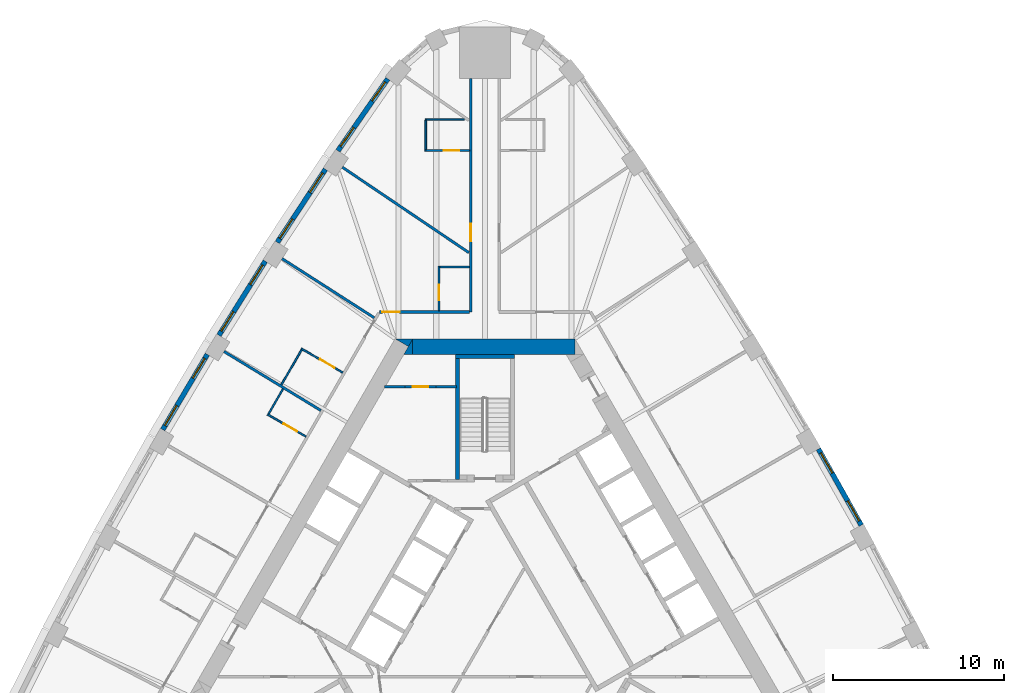
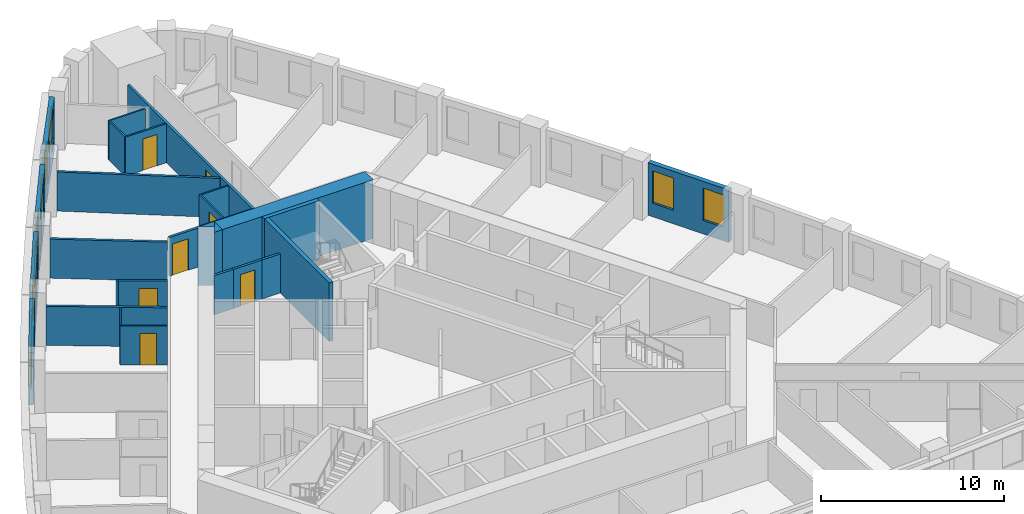
# One storey, part 9 of 12: 27 walls, 10 windows, 7 doors, 17 openings.
"""IFC4 building model written with IfcOpenShell, lengths in metres."""

from ifc_helpers import new_model, si_unit, direction, frame, frame_2d, origin, place, context, subcontext, project, spatial, polyline, rectangle, outline, extrude, material, layer, layer_set, type_object, element, fill, save


model = new_model("IFC4")

# Units and contexts
model_context = context("Model", 3, precision=1e-05, world=origin(), true_north=direction((0.0, 1.0)))
body_context = subcontext(model_context, "Body", "Model", "MODEL_VIEW")
ifc_project = project(units=[si_unit("LENGTHUNIT", "METRE"), si_unit("AREAUNIT", "SQUARE_METRE"), si_unit("VOLUMEUNIT", "CUBIC_METRE"), si_unit("PLANEANGLEUNIT", "RADIAN"), si_unit("MASSUNIT", "GRAM", prefix="KILO")], contexts=[model_context])

# Site, building, storey
site_placement = place(None, origin())
site = spatial("IfcSite", under=ifc_project, at=site_placement, CompositionType="ELEMENT")
building_placement = place(site_placement, origin())
building = spatial("IfcBuilding", under=site, at=building_placement, Name="Mestral Congress Tower", CompositionType="ELEMENT")
storey_placement = place(building_placement, frame((0.0, 0.0, 130.5)))
storey = spatial("IfcBuildingStorey", under=building, at=storey_placement, Name="L31", CompositionType="ELEMENT", Elevation=130.5)

# Walls
ifc_material_1 = material(Name="Fire-rated board partition")
ifc_layer_1 = layer(ifc_material_1, 0.14990234375)
ifc_layer_set_1 = layer_set([ifc_layer_1], Name="Fire-rated board partition")
wall_type_1 = type_object("IfcWallType", Name="Core partition 150", PredefinedType="PARTITIONING", material=ifc_layer_set_1)
wall_1_placement = place(storey_placement, frame((-5.85107421875, 14.10205078125, 0.0), z_axis=(0.0, 0.0, 1.0), x_axis=(1.0, 0.0, 0.0)))
element("IfcWall", 1, at=wall_1_placement, inside=storey, type_object=wall_type_1, Name="L31 core wall", PredefinedType="PARTITIONING", context=body_context, shape_type="SweptSolid", body=[
    extrude(rectangle(XDim=1.18017578125, YDim=0.14990234375, at=frame_2d((0.590087890625, 0.0))), origin(), (0.0, 0.0, 1.0), 2.60009765625),
])
wall_2_placement = place(storey_placement, frame((-2.87060546875, 14.10205078125, 0.0), z_axis=(0.0, 0.0, 1.0), x_axis=(1.0, 0.0, 0.0)))
element("IfcWall", 2, at=wall_2_placement, inside=storey, type_object=wall_type_1, Name="L31 core wall", PredefinedType="PARTITIONING", context=body_context, shape_type="SweptSolid", body=[
    extrude(rectangle(XDim=1.195556640625, YDim=0.14990234375, at=frame_2d((0.59765625, 0.0))), origin(), (0.0, 0.0, 1.0), 2.60009765625),
])

# Wall, opening, door
wall_3_placement = place(storey_placement, frame((-2.870849609375, 14.10205078125, 0.0), z_axis=(0.0, 0.0, 1.0), x_axis=(-1.0, 0.0, 0.0)))
wall_3 = element("IfcWall", 3, at=wall_3_placement, inside=storey, type_object=wall_type_1, Name="L31 door wall", PredefinedType="PARTITIONING", context=body_context, shape_type="SweptSolid", body=[
    extrude(rectangle(XDim=1.800048828125, YDim=0.14990234375, at=frame_2d((0.89990234375, 0.0))), origin(), (0.0, 0.0, 1.0), 2.60009765625),
])
opening_1_placement = place(wall_3_placement, frame((0.449951171875, 0.0, 0.0)))
opening_1 = element("IfcOpeningElement", 4, at=opening_1_placement, cuts=wall_3, Name="Opening SD-WS2", PredefinedType="OPENING", context=body_context, shape_type="SweptSolid", body=[
    extrude(rectangle(XDim=0.89990234375, YDim=2.10009765625, at=frame_2d((0.449951171875, 1.050048828125))), frame((0.0, 0.0849609375, 0.0), z_axis=(0.0, -1.0, 0.0), x_axis=(1.0, 0.0, 0.0)), (0.0, 0.0, 1.0), 0.169921875),
])
ifc_material_2 = material(Name="Fire-rated steel door set", Category="steel")
door_type_1 = type_object("IfcDoorType", Name="Core door SR 900x2100", OperationType="SINGLE_SWING_LEFT", PredefinedType="DOOR", material=ifc_material_2)
door_1_placement = place(opening_1_placement, origin())
door_1 = element("IfcDoor", 5, at=door_1_placement, inside=storey, type_object=door_type_1, Name="Door SD-WS2", OperationType="SINGLE_SWING_LEFT", OverallHeight=2.10009765625, OverallWidth=0.89990234375, PredefinedType="DOOR", context=body_context, shape_type="SweptSolid", body=[
    extrude(rectangle(XDim=0.89990234375, YDim=2.10009765625, at=frame_2d((0.449951171875, 1.050048828125))), frame((0.0, 0.02490234375, 0.0), z_axis=(0.0, -1.0, 0.0), x_axis=(1.0, 0.0, 0.0)), (0.0, 0.0, 1.0), 0.050048828125),
])
fill(opening_1, door_1)

# Walls
ifc_material_3 = material(Name="Concrete C60/75", Category="concrete")
ifc_layer_2 = layer(ifc_material_3, 0.89990234375)
ifc_layer_set_2 = layer_set([ifc_layer_2], Name="Concrete C60/75")
wall_type_2 = type_object("IfcWallType", Name="Core wall RC 900", PredefinedType="SOLIDWALL", material=ifc_layer_set_2)
placement = place(storey_placement, origin())
element("IfcWall", 6, at=placement, inside=storey, type_object=wall_type_2, Name="L31 core wall", PredefinedType="SOLIDWALL", context=body_context, shape_type="SweptSolid", body=[
    extrude(outline(polyline([(-4.214599609375, 16.89990234375), (-4.46875, 16.460205078125), (-5.230712890625, 16.89990234375), (-4.214599609375, 16.89990234375)])), origin(), (0.0, 0.0, 1.0), 3.89990234375),
])
wall_5_placement = place(storey_placement, frame((-4.224365234375, 16.449951171875, 0.0), z_axis=(0.0, 0.0, 1.0), x_axis=(1.0, 0.0, 0.0)))
element("IfcWall", 7, at=wall_5_placement, inside=storey, type_object=wall_type_2, Name="L31 core wall", PredefinedType="SOLIDWALL", context=body_context, shape_type="SweptSolid", body=[
    extrude(rectangle(XDim=9.48779296875, YDim=0.89990234375, at=frame_2d((4.743896484375, 0.0))), origin(), (0.0, 0.0, 1.0), 3.89990234375),
])
element("IfcWall", 8, at=placement, inside=storey, type_object=wall_type_2, Name="L31 core wall", PredefinedType="SOLIDWALL", context=body_context, shape_type="SweptSolid", body=[
    extrude(outline(polyline([(-4.734375, 16.0), (-4.226318359375, 16.8798828125), (-4.226318359375, 16.0), (-4.734375, 16.0)])), origin(), (0.0, 0.0, 1.0), 3.89990234375),
])

# Wall, openings, windows
ifc_material_4 = material(Name="Precast concrete C40/50 with limestone facing", Category="masonry")
ifc_layer_3 = layer(ifc_material_4, 0.2900390625)
ifc_layer_set_3 = layer_set([ifc_layer_3], Name="Precast concrete C40/50 with limestone facing")
wall_type_3 = type_object("IfcWallType", Name="Facade stone wall 290", PredefinedType="SOLIDWALL", material=ifc_layer_set_3)
wall_7_placement = place(storey_placement, frame((21.956298828125, 6.033203125, 0.0), z_axis=(0.0, 0.0, 1.0), x_axis=(-0.48983164787, 0.87181704316, 0.0)))
wall_7 = element("IfcWall", 9, at=wall_7_placement, inside=storey, type_object=wall_type_3, Name="Facade wall F1-03", PredefinedType="SOLIDWALL", context=body_context, shape_type="SweptSolid", body=[
    extrude(rectangle(XDim=5.100341796875, YDim=0.2900390625, at=frame_2d((2.55029296875, 0.0))), origin(), (0.0, 0.0, 1.0), 3.5),
])
opening_2_placement = place(wall_7_placement, frame((0.272705078125, 0.0, 0.89990234375)))
opening_2 = element("IfcOpeningElement", 10, at=opening_2_placement, cuts=wall_7, Name="Opening W2", PredefinedType="OPENING", context=body_context, shape_type="SweptSolid", body=[
    extrude(rectangle(XDim=1.35009765625, YDim=2.14990234375, at=frame_2d((0.675048828125, 1.074951171875))), frame((0.0, 0.155029296875, 0.0), z_axis=(0.0, -1.0, 0.0), x_axis=(1.0, 0.0, 0.0)), (0.0, 0.0, 1.0), 0.31005859375),
])
opening_3_placement = place(wall_7_placement, frame((3.477783203125, 0.0, 0.89990234375)))
opening_3 = element("IfcOpeningElement", 11, at=opening_3_placement, cuts=wall_7, Name="Opening W2", PredefinedType="OPENING", context=body_context, shape_type="SweptSolid", body=[
    extrude(rectangle(XDim=1.35009765625, YDim=2.14990234375, at=frame_2d((0.675048828125, 1.074951171875))), frame((0.0, 0.155029296875, 0.0), z_axis=(0.0, -1.0, 0.0), x_axis=(1.0, 0.0, 0.0)), (0.0, 0.0, 1.0), 0.31005859375),
])
ifc_material_5 = material(Name="Clear low-emissivity double glazing", Category="glass")
window_type = type_object("IfcWindowType", Name="Facade punched window 1350 x 2150 sill 900", PartitioningType="DOUBLE_PANEL_VERTICAL", PredefinedType="WINDOW", material=ifc_material_5)
window_1_placement = place(opening_2_placement, origin())
window_1 = element("IfcWindow", 12, at=window_1_placement, inside=storey, type_object=window_type, Name="Window F1-03a", OverallHeight=2.14990234375, OverallWidth=1.35009765625, PartitioningType="DOUBLE_PANEL_VERTICAL", PredefinedType="WINDOW", context=body_context, shape_type="SweptSolid", body=[
    extrude(rectangle(XDim=1.35009765625, YDim=2.14990234375, at=frame_2d((0.675048828125, 1.074951171875))), frame((0.0, 0.01513671875, 0.0), z_axis=(0.0, -1.0, 0.0), x_axis=(1.0, 0.0, 0.0)), (0.0, 0.0, 1.0), 0.06005859375),
])
fill(opening_2, window_1)
window_2_placement = place(opening_3_placement, origin())
window_2 = element("IfcWindow", 13, at=window_2_placement, inside=storey, type_object=window_type, Name="Window F1-03b", OverallHeight=2.14990234375, OverallWidth=1.35009765625, PartitioningType="DOUBLE_PANEL_VERTICAL", PredefinedType="WINDOW", context=body_context, shape_type="SweptSolid", body=[
    extrude(rectangle(XDim=1.35009765625, YDim=2.14990234375, at=frame_2d((0.675048828125, 1.074951171875))), frame((0.0, 0.01513671875, 0.0), z_axis=(0.0, -1.0, 0.0), x_axis=(1.0, 0.0, 0.0)), (0.0, 0.0, 1.0), 0.06005859375),
])
fill(opening_3, window_2)

wall_8_placement = place(storey_placement, frame((-5.67333984375, 32.0810546875, 0.0), z_axis=(0.0, 0.0, 1.0), x_axis=(-0.569113019126, -0.822259309136, 0.0)))
wall_8 = element("IfcWall", 14, at=wall_8_placement, inside=storey, type_object=wall_type_3, Name="Facade wall F2-00", PredefinedType="SOLIDWALL", context=body_context, shape_type="SweptSolid", body=[
    extrude(rectangle(XDim=5.106689453125, YDim=0.2900390625, at=frame_2d((2.55322265625, 0.0))), origin(), (0.0, 0.0, 1.0), 3.5),
])
opening_4_placement = place(wall_8_placement, frame((0.240478515625, 0.0, 0.89990234375)))
opening_4 = element("IfcOpeningElement", 15, at=opening_4_placement, cuts=wall_8, Name="Opening W2", PredefinedType="OPENING", context=body_context, shape_type="SweptSolid", body=[
    extrude(rectangle(XDim=1.35009765625, YDim=2.14990234375, at=frame_2d((0.675048828125, 1.074951171875))), frame((0.0, 0.155029296875, 0.0), z_axis=(0.0, -1.0, 0.0), x_axis=(1.0, 0.0, 0.0)), (0.0, 0.0, 1.0), 0.31005859375),
])
opening_5_placement = place(wall_8_placement, frame((3.47119140625, 0.0, 0.89990234375)))
opening_5 = element("IfcOpeningElement", 16, at=opening_5_placement, cuts=wall_8, Name="Opening W2", PredefinedType="OPENING", context=body_context, shape_type="SweptSolid", body=[
    extrude(rectangle(XDim=1.35009765625, YDim=2.14990234375, at=frame_2d((0.675048828125, 1.074951171875))), frame((0.0, 0.155029296875, 0.0), z_axis=(0.0, -1.0, 0.0), x_axis=(1.0, 0.0, 0.0)), (0.0, 0.0, 1.0), 0.31005859375),
])
window_3_placement = place(opening_4_placement, origin())
window_3 = element("IfcWindow", 17, at=window_3_placement, inside=storey, type_object=window_type, Name="Window F2-00a", OverallHeight=2.14990234375, OverallWidth=1.35009765625, PartitioningType="DOUBLE_PANEL_VERTICAL", PredefinedType="WINDOW", context=body_context, shape_type="SweptSolid", body=[
    extrude(rectangle(XDim=1.35009765625, YDim=2.14990234375, at=frame_2d((0.675048828125, 1.074951171875))), frame((0.0, 0.01513671875, 0.0), z_axis=(0.0, -1.0, 0.0), x_axis=(1.0, 0.0, 0.0)), (0.0, 0.0, 1.0), 0.06005859375),
])
fill(opening_4, window_3)
window_4_placement = place(opening_5_placement, origin())
window_4 = element("IfcWindow", 18, at=window_4_placement, inside=storey, type_object=window_type, Name="Window F2-00b", OverallHeight=2.14990234375, OverallWidth=1.35009765625, PartitioningType="DOUBLE_PANEL_VERTICAL", PredefinedType="WINDOW", context=body_context, shape_type="SweptSolid", body=[
    extrude(rectangle(XDim=1.35009765625, YDim=2.14990234375, at=frame_2d((0.675048828125, 1.074951171875))), frame((0.0, 0.01513671875, 0.0), z_axis=(0.0, -1.0, 0.0), x_axis=(1.0, 0.0, 0.0)), (0.0, 0.0, 1.0), 0.06005859375),
])
fill(opening_5, window_4)

wall_9_placement = place(storey_placement, frame((-9.310791015625, 26.799072265625, 0.0), z_axis=(0.0, 0.0, 1.0), x_axis=(-0.549741341923, -0.835334937005, 0.0)))
wall_9 = element("IfcWall", 19, at=wall_9_placement, inside=storey, type_object=wall_type_3, Name="Facade wall F2-01", PredefinedType="SOLIDWALL", context=body_context, shape_type="SweptSolid", body=[
    extrude(rectangle(XDim=5.10009765625, YDim=0.2900390625, at=frame_2d((2.550048828125, 0.0))), origin(), (0.0, 0.0, 1.0), 3.5),
])
opening_6_placement = place(wall_9_placement, frame((0.272705078125, 0.0, 0.89990234375)))
opening_6 = element("IfcOpeningElement", 20, at=opening_6_placement, cuts=wall_9, Name="Opening W2", PredefinedType="OPENING", context=body_context, shape_type="SweptSolid", body=[
    extrude(rectangle(XDim=1.35009765625, YDim=2.14990234375, at=frame_2d((0.675048828125, 1.074951171875))), frame((0.0, 0.155029296875, 0.0), z_axis=(0.0, -1.0, 0.0), x_axis=(1.0, 0.0, 0.0)), (0.0, 0.0, 1.0), 0.31005859375),
])
opening_7_placement = place(wall_9_placement, frame((3.477783203125, 0.0, 0.89990234375)))
opening_7 = element("IfcOpeningElement", 21, at=opening_7_placement, cuts=wall_9, Name="Opening W2", PredefinedType="OPENING", context=body_context, shape_type="SweptSolid", body=[
    extrude(rectangle(XDim=1.35009765625, YDim=2.14990234375, at=frame_2d((0.675048828125, 1.074951171875))), frame((0.0, 0.155029296875, 0.0), z_axis=(0.0, -1.0, 0.0), x_axis=(1.0, 0.0, 0.0)), (0.0, 0.0, 1.0), 0.31005859375),
])
window_5_placement = place(opening_6_placement, origin())
window_5 = element("IfcWindow", 22, at=window_5_placement, inside=storey, type_object=window_type, Name="Window F2-01a", OverallHeight=2.14990234375, OverallWidth=1.35009765625, PartitioningType="DOUBLE_PANEL_VERTICAL", PredefinedType="WINDOW", context=body_context, shape_type="SweptSolid", body=[
    extrude(rectangle(XDim=1.35009765625, YDim=2.14990234375, at=frame_2d((0.675048828125, 1.074951171875))), frame((0.0, 0.01513671875, 0.0), z_axis=(0.0, -1.0, 0.0), x_axis=(1.0, 0.0, 0.0)), (0.0, 0.0, 1.0), 0.06005859375),
])
fill(opening_6, window_5)
window_6_placement = place(opening_7_placement, origin())
window_6 = element("IfcWindow", 23, at=window_6_placement, inside=storey, type_object=window_type, Name="Window F2-01b", OverallHeight=2.14990234375, OverallWidth=1.35009765625, PartitioningType="DOUBLE_PANEL_VERTICAL", PredefinedType="WINDOW", context=body_context, shape_type="SweptSolid", body=[
    extrude(rectangle(XDim=1.35009765625, YDim=2.14990234375, at=frame_2d((0.675048828125, 1.074951171875))), frame((0.0, 0.01513671875, 0.0), z_axis=(0.0, -1.0, 0.0), x_axis=(1.0, 0.0, 0.0)), (0.0, 0.0, 1.0), 0.06005859375),
])
fill(opening_7, window_6)

wall_10_placement = place(storey_placement, frame((-12.820068359375, 21.43896484375, 0.0), z_axis=(0.0, 0.0, 1.0), x_axis=(-0.530072082134, -0.847952585787, 0.0)))
wall_10 = element("IfcWall", 24, at=wall_10_placement, inside=storey, type_object=wall_type_3, Name="Facade wall F2-02", PredefinedType="SOLIDWALL", context=body_context, shape_type="SweptSolid", body=[
    extrude(rectangle(XDim=5.100341796875, YDim=0.2900390625, at=frame_2d((2.55029296875, 0.0))), origin(), (0.0, 0.0, 1.0), 3.5),
])
opening_8_placement = place(wall_10_placement, frame((0.272705078125, 0.0, 0.89990234375)))
opening_8 = element("IfcOpeningElement", 25, at=opening_8_placement, cuts=wall_10, Name="Opening W2", PredefinedType="OPENING", context=body_context, shape_type="SweptSolid", body=[
    extrude(rectangle(XDim=1.35009765625, YDim=2.14990234375, at=frame_2d((0.675048828125, 1.074951171875))), frame((0.0, 0.155029296875, 0.0), z_axis=(0.0, -1.0, 0.0), x_axis=(1.0, 0.0, 0.0)), (0.0, 0.0, 1.0), 0.31005859375),
])
opening_9_placement = place(wall_10_placement, frame((3.477783203125, 0.0, 0.89990234375)))
opening_9 = element("IfcOpeningElement", 26, at=opening_9_placement, cuts=wall_10, Name="Opening W2", PredefinedType="OPENING", context=body_context, shape_type="SweptSolid", body=[
    extrude(rectangle(XDim=1.35009765625, YDim=2.14990234375, at=frame_2d((0.675048828125, 1.074951171875))), frame((0.0, 0.155029296875, 0.0), z_axis=(0.0, -1.0, 0.0), x_axis=(1.0, 0.0, 0.0)), (0.0, 0.0, 1.0), 0.31005859375),
])
window_7_placement = place(opening_8_placement, origin())
window_7 = element("IfcWindow", 27, at=window_7_placement, inside=storey, type_object=window_type, Name="Window F2-02a", OverallHeight=2.14990234375, OverallWidth=1.35009765625, PartitioningType="DOUBLE_PANEL_VERTICAL", PredefinedType="WINDOW", context=body_context, shape_type="SweptSolid", body=[
    extrude(rectangle(XDim=1.35009765625, YDim=2.14990234375, at=frame_2d((0.675048828125, 1.074951171875))), frame((0.0, 0.01513671875, 0.0), z_axis=(0.0, -1.0, 0.0), x_axis=(1.0, 0.0, 0.0)), (0.0, 0.0, 1.0), 0.06005859375),
])
fill(opening_8, window_7)
window_8_placement = place(opening_9_placement, origin())
window_8 = element("IfcWindow", 28, at=window_8_placement, inside=storey, type_object=window_type, Name="Window F2-02b", OverallHeight=2.14990234375, OverallWidth=1.35009765625, PartitioningType="DOUBLE_PANEL_VERTICAL", PredefinedType="WINDOW", context=body_context, shape_type="SweptSolid", body=[
    extrude(rectangle(XDim=1.35009765625, YDim=2.14990234375, at=frame_2d((0.675048828125, 1.074951171875))), frame((0.0, 0.01513671875, 0.0), z_axis=(0.0, -1.0, 0.0), x_axis=(1.0, 0.0, 0.0)), (0.0, 0.0, 1.0), 0.06005859375),
])
fill(opening_9, window_8)

wall_11_placement = place(storey_placement, frame((-16.203125, 15.998291015625, 0.0), z_axis=(0.0, 0.0, 1.0), x_axis=(-0.510054281659, -0.860142214847, 0.0)))
wall_11 = element("IfcWall", 29, at=wall_11_placement, inside=storey, type_object=wall_type_3, Name="Facade wall F2-03", PredefinedType="SOLIDWALL", context=body_context, shape_type="SweptSolid", body=[
    extrude(rectangle(XDim=5.1005859375, YDim=0.2900390625, at=frame_2d((2.55029296875, 0.0))), origin(), (0.0, 0.0, 1.0), 3.5),
])
opening_10_placement = place(wall_11_placement, frame((0.272705078125, 0.0, 0.89990234375)))
opening_10 = element("IfcOpeningElement", 30, at=opening_10_placement, cuts=wall_11, Name="Opening W2", PredefinedType="OPENING", context=body_context, shape_type="SweptSolid", body=[
    extrude(rectangle(XDim=1.35009765625, YDim=2.14990234375, at=frame_2d((0.675048828125, 1.074951171875))), frame((0.0, 0.155029296875, 0.0), z_axis=(0.0, -1.0, 0.0), x_axis=(1.0, 0.0, 0.0)), (0.0, 0.0, 1.0), 0.31005859375),
])
opening_11_placement = place(wall_11_placement, frame((3.477783203125, 0.0, 0.89990234375)))
opening_11 = element("IfcOpeningElement", 31, at=opening_11_placement, cuts=wall_11, Name="Opening W2", PredefinedType="OPENING", context=body_context, shape_type="SweptSolid", body=[
    extrude(rectangle(XDim=1.35009765625, YDim=2.14990234375, at=frame_2d((0.675048828125, 1.074951171875))), frame((0.0, 0.155029296875, 0.0), z_axis=(0.0, -1.0, 0.0), x_axis=(1.0, 0.0, 0.0)), (0.0, 0.0, 1.0), 0.31005859375),
])
window_9_placement = place(opening_10_placement, origin())
window_9 = element("IfcWindow", 32, at=window_9_placement, inside=storey, type_object=window_type, Name="Window F2-03a", OverallHeight=2.14990234375, OverallWidth=1.35009765625, PartitioningType="DOUBLE_PANEL_VERTICAL", PredefinedType="WINDOW", context=body_context, shape_type="SweptSolid", body=[
    extrude(rectangle(XDim=1.35009765625, YDim=2.14990234375, at=frame_2d((0.675048828125, 1.074951171875))), frame((0.0, 0.01513671875, 0.0), z_axis=(0.0, -1.0, 0.0), x_axis=(1.0, 0.0, 0.0)), (0.0, 0.0, 1.0), 0.06005859375),
])
fill(opening_10, window_9)
window_10_placement = place(opening_11_placement, origin())
window_10 = element("IfcWindow", 33, at=window_10_placement, inside=storey, type_object=window_type, Name="Window F2-03b", OverallHeight=2.14990234375, OverallWidth=1.35009765625, PartitioningType="DOUBLE_PANEL_VERTICAL", PredefinedType="WINDOW", context=body_context, shape_type="SweptSolid", body=[
    extrude(rectangle(XDim=1.35009765625, YDim=2.14990234375, at=frame_2d((0.675048828125, 1.074951171875))), frame((0.0, 0.01513671875, 0.0), z_axis=(0.0, -1.0, 0.0), x_axis=(1.0, 0.0, 0.0)), (0.0, 0.0, 1.0), 0.06005859375),
])
fill(opening_11, window_10)

# Wall, opening, door
ifc_material_6 = material(Name="Gypsum board partition on metal studs with mineral wool", Category="composite")
ifc_layer_4 = layer(ifc_material_6, 0.10009765625)
ifc_layer_set_4 = layer_set([ifc_layer_4], Name="Gypsum board partition on metal studs with mineral wool")
wall_type_4 = type_object("IfcWallType", Name="Hotel partition wall 100", PredefinedType="PARTITIONING", material=ifc_layer_set_4)
wall_12_placement = place(storey_placement, frame((-3.5, 27.89794921875, 0.0), z_axis=(0.0, 0.0, 1.0), x_axis=(1.0, 0.0, 0.0)))
wall_12 = element("IfcWall", 34, at=wall_12_placement, inside=storey, type_object=wall_type_4, Name="L31-h-pod16a", PredefinedType="PARTITIONING", context=body_context, shape_type="SweptSolid", body=[
    extrude(rectangle(XDim=2.60009765625, YDim=0.10009765625, at=frame_2d((1.300048828125, 0.0))), origin(), (0.0, 0.0, 1.0), 2.60009765625),
])
opening_12_placement = place(wall_12_placement, frame((1.10009765625, 0.0, 0.0)))
opening_12 = element("IfcOpeningElement", 35, at=opening_12_placement, cuts=wall_12, Name="Opening H10-019", PredefinedType="OPENING", context=body_context, shape_type="SweptSolid", body=[
    extrude(rectangle(XDim=0.89990234375, YDim=2.10009765625, at=frame_2d((0.449951171875, 1.050048828125))), frame((0.0, 0.06005859375, 0.0), z_axis=(0.0, -1.0, 0.0), x_axis=(1.0, 0.0, 0.0)), (0.0, 0.0, 1.0), 0.1201171875),
])
ifc_material_7 = material(Name="Timber veneer door leaf in timber frame", Category="wood")
door_type_2 = type_object("IfcDoorType", Name="Bathroom door 900", OperationType="SINGLE_SWING_LEFT", PredefinedType="DOOR", material=ifc_material_7)
door_2_placement = place(opening_12_placement, origin())
door_2 = element("IfcDoor", 36, at=door_2_placement, inside=storey, type_object=door_type_2, Name="L31-h-d019", OperationType="SINGLE_SWING_LEFT", OverallHeight=2.10009765625, OverallWidth=0.89990234375, PredefinedType="DOOR", context=body_context, shape_type="SweptSolid", body=[
    extrude(rectangle(XDim=0.89990234375, YDim=2.10009765625, at=frame_2d((0.449951171875, 1.050048828125))), frame((0.0, 0.02490234375, 0.0), z_axis=(0.0, -1.0, 0.0), x_axis=(1.0, 0.0, 0.0)), (0.0, 0.0, 1.0), 0.050048828125),
])
fill(opening_12, door_2)

# Walls
wall_13_placement = place(storey_placement, frame((-3.449951171875, 27.947998046875, 0.0), z_axis=(0.0, 0.0, 1.0), x_axis=(0.0, 1.0, 0.0)))
element("IfcWall", 37, at=wall_13_placement, inside=storey, type_object=wall_type_4, Name="L31-h-pod16b", PredefinedType="PARTITIONING", context=body_context, shape_type="SweptSolid", body=[
    extrude(rectangle(XDim=1.699951171875, YDim=0.10009765625, at=frame_2d((0.85009765625, 0.0))), origin(), (0.0, 0.0, 1.0), 2.60009765625),
])
wall_14_placement = place(storey_placement, frame((-1.199951171875, 29.697998046875, 0.0), z_axis=(0.0, 0.0, 1.0), x_axis=(-1.0, 0.0, 0.0)))
element("IfcWall", 38, at=wall_14_placement, inside=storey, type_object=wall_type_4, Name="L31-h-pod16c", PredefinedType="PARTITIONING", context=body_context, shape_type="SweptSolid", body=[
    extrude(rectangle(XDim=2.300048828125, YDim=0.10009765625, at=frame_2d((1.14990234375, 0.0))), origin(), (0.0, 0.0, 1.0), 2.60009765625),
])

# Wall, opening, door
wall_15_placement = place(storey_placement, frame((-2.68505859375, 21.14990234375, 0.0), z_axis=(0.0, 0.0, 1.0), x_axis=(0.0, -1.0, 0.0)))
wall_15 = element("IfcWall", 39, at=wall_15_placement, inside=storey, type_object=wall_type_4, Name="L31-h-pod17a", PredefinedType="PARTITIONING", context=body_context, shape_type="SweptSolid", body=[
    extrude(rectangle(XDim=2.599853515625, YDim=0.10009765625, at=frame_2d((1.2998046875, 0.0))), origin(), (0.0, 0.0, 1.0), 2.60009765625),
])
opening_13_placement = place(wall_15_placement, frame((1.10009765625, 0.0, 0.0)))
opening_13 = element("IfcOpeningElement", 40, at=opening_13_placement, cuts=wall_15, Name="Opening H10-021", PredefinedType="OPENING", context=body_context, shape_type="SweptSolid", body=[
    extrude(rectangle(XDim=0.89990234375, YDim=2.10009765625, at=frame_2d((0.449951171875, 1.050048828125))), frame((0.0, 0.06005859375, 0.0), z_axis=(0.0, -1.0, 0.0), x_axis=(1.0, 0.0, 0.0)), (0.0, 0.0, 1.0), 0.1201171875),
])
door_3_placement = place(opening_13_placement, origin())
door_3 = element("IfcDoor", 41, at=door_3_placement, inside=storey, type_object=door_type_2, Name="L31-h-d021", OperationType="SINGLE_SWING_LEFT", OverallHeight=2.10009765625, OverallWidth=0.89990234375, PredefinedType="DOOR", context=body_context, shape_type="SweptSolid", body=[
    extrude(rectangle(XDim=0.89990234375, YDim=2.10009765625, at=frame_2d((0.449951171875, 1.050048828125))), frame((0.0, 0.02490234375, 0.0), z_axis=(0.0, -1.0, 0.0), x_axis=(1.0, 0.0, 0.0)), (0.0, 0.0, 1.0), 0.050048828125),
])
fill(opening_13, door_3)

# Wall
wall_16_placement = place(storey_placement, frame((-2.635009765625, 21.10009765625, 0.0), z_axis=(0.0, 0.0, 1.0), x_axis=(1.0, 0.0, 0.0)))
element("IfcWall", 42, at=wall_16_placement, inside=storey, type_object=wall_type_4, Name="L31-h-pod17b", PredefinedType="PARTITIONING", context=body_context, shape_type="SweptSolid", body=[
    extrude(rectangle(XDim=1.72998046875, YDim=0.10009765625, at=frame_2d((0.864990234375, 0.0))), origin(), (0.0, 0.0, 1.0), 2.60009765625),
])

# Wall, opening, door
wall_17_placement = place(storey_placement, frame((-8.293212890625, 14.935791015625, 0.0), z_axis=(0.0, 0.0, 1.0), x_axis=(-0.866034573852, 0.49998411664, 0.0)))
wall_17 = element("IfcWall", 43, at=wall_17_placement, inside=storey, type_object=wall_type_4, Name="L31-h-pod18a", PredefinedType="PARTITIONING", context=body_context, shape_type="SweptSolid", body=[
    extrude(rectangle(XDim=2.7998046875, YDim=0.10009765625, at=frame_2d((1.39990234375, 0.0))), origin(), (0.0, 0.0, 1.0), 2.60009765625),
])
opening_14_placement = place(wall_17_placement, frame((0.550048828125, 0.0, 0.0)))
opening_14 = element("IfcOpeningElement", 44, at=opening_14_placement, cuts=wall_17, Name="Opening H10-023", PredefinedType="OPENING", context=body_context, shape_type="SweptSolid", body=[
    extrude(rectangle(XDim=1.0, YDim=2.10009765625, at=frame_2d((0.5, 1.050048828125))), frame((0.0, 0.06005859375, 0.0), z_axis=(0.0, -1.0, 0.0), x_axis=(1.0, 0.0, 0.0)), (0.0, 0.0, 1.0), 0.1201171875),
])
door_type_3 = type_object("IfcDoorType", Name="Accessible bathroom door 1000", OperationType="SINGLE_SWING_LEFT", PredefinedType="DOOR", material=ifc_material_7)
door_4_placement = place(opening_14_placement, origin())
door_4 = element("IfcDoor", 45, at=door_4_placement, inside=storey, type_object=door_type_3, Name="L31-h-d023", OperationType="SINGLE_SWING_RIGHT", OverallHeight=2.10009765625, OverallWidth=1.0, PredefinedType="DOOR", context=body_context, shape_type="SweptSolid", body=[
    extrude(rectangle(XDim=1.0, YDim=2.10009765625, at=frame_2d((0.5, 1.050048828125))), frame((0.0, 0.02490234375, 0.0), z_axis=(0.0, -1.0, 0.0), x_axis=(1.0, 0.0, 0.0)), (0.0, 0.0, 1.0), 0.050048828125),
])
fill(opening_14, door_4)

# Wall
wall_18_placement = place(storey_placement, frame((-10.69970703125, 16.267333984375, 0.0), z_axis=(0.0, 0.0, 1.0), x_axis=(-0.500032858622, -0.866006432019, 0.0)))
element("IfcWall", 46, at=wall_18_placement, inside=storey, type_object=wall_type_4, Name="L31-h-pod18b", PredefinedType="PARTITIONING", context=body_context, shape_type="SweptSolid", body=[
    extrude(rectangle(XDim=2.360107421875, YDim=0.10009765625, at=frame_2d((1.18017578125, 0.0))), origin(), (0.0, 0.0, 1.0), 2.60009765625),
])

# Wall, opening, door
wall_19_placement = place(storey_placement, frame((-12.6982421875, 12.505859375, 0.0), z_axis=(0.0, 0.0, 1.0), x_axis=(0.865997922154, -0.500047596559, 0.0)))
wall_19 = element("IfcWall", 47, at=wall_19_placement, inside=storey, type_object=wall_type_4, Name="L31-h-pod19a", PredefinedType="PARTITIONING", context=body_context, shape_type="SweptSolid", body=[
    extrude(rectangle(XDim=2.599853515625, YDim=0.10009765625, at=frame_2d((1.2998046875, 0.0))), origin(), (0.0, 0.0, 1.0), 2.60009765625),
])
opening_15_placement = place(wall_19_placement, frame((1.10009765625, 0.0, 0.0)))
opening_15 = element("IfcOpeningElement", 48, at=opening_15_placement, cuts=wall_19, Name="Opening H10-025", PredefinedType="OPENING", context=body_context, shape_type="SweptSolid", body=[
    extrude(rectangle(XDim=0.89990234375, YDim=2.10009765625, at=frame_2d((0.449951171875, 1.050048828125))), frame((0.0, 0.06005859375, 0.0), z_axis=(0.0, -1.0, 0.0), x_axis=(1.0, 0.0, 0.0)), (0.0, 0.0, 1.0), 0.1201171875),
])
door_5_placement = place(opening_15_placement, origin())
door_5 = element("IfcDoor", 49, at=door_5_placement, inside=storey, type_object=door_type_2, Name="L31-h-d025", OperationType="SINGLE_SWING_LEFT", OverallHeight=2.10009765625, OverallWidth=0.89990234375, PredefinedType="DOOR", context=body_context, shape_type="SweptSolid", body=[
    extrude(rectangle(XDim=0.89990234375, YDim=2.10009765625, at=frame_2d((0.449951171875, 1.050048828125))), frame((0.0, 0.02490234375, 0.0), z_axis=(0.0, -1.0, 0.0), x_axis=(1.0, 0.0, 0.0)), (0.0, 0.0, 1.0), 0.050048828125),
])
fill(opening_15, door_5)

# Wall
wall_20_placement = place(storey_placement, frame((-12.6298828125, 12.524169921875, 0.0), z_axis=(0.0, 0.0, 1.0), x_axis=(0.499953100966, 0.866052479261, 0.0)))
element("IfcWall", 50, at=wall_20_placement, inside=storey, type_object=wall_type_4, Name="L31-h-pod19b", PredefinedType="PARTITIONING", context=body_context, shape_type="SweptSolid", body=[
    extrude(rectangle(XDim=1.679931640625, YDim=0.10009765625, at=frame_2d((0.83984375, 0.0))), origin(), (0.0, 0.0, 1.0), 2.60009765625),
])

# Wall, opening, door
ifc_layer_5 = layer(ifc_material_6, 0.14990234375)
ifc_layer_set_5 = layer_set([ifc_layer_5], Name="Gypsum board partition on metal studs with mineral wool")
wall_type_5 = type_object("IfcWallType", Name="Hotel partition wall 150", PredefinedType="PARTITIONING", material=ifc_layer_set_5)
wall_21_placement = place(storey_placement, frame((-0.824951171875, 18.47509765625, 0.0), z_axis=(0.0, 0.0, 1.0), x_axis=(0.0, 1.0, 0.0)))
wall_21 = element("IfcWall", 51, at=wall_21_placement, inside=storey, type_object=wall_type_5, Name="L31-h-cw06", PredefinedType="PARTITIONING", context=body_context, shape_type="SweptSolid", body=[
    extrude(rectangle(XDim=13.623291015625, YDim=0.14990234375, at=frame_2d((6.8115234375, 0.0))), origin(), (0.0, 0.0, 1.0), 2.60009765625),
])
opening_16_placement = place(wall_21_placement, frame((4.13525390625, 0.0, 0.0)))
opening_16 = element("IfcOpeningElement", 52, at=opening_16_placement, cuts=wall_21, Name="Opening H10-018", PredefinedType="OPENING", context=body_context, shape_type="SweptSolid", body=[
    extrude(rectangle(XDim=1.0, YDim=2.10009765625, at=frame_2d((0.5, 1.050048828125))), frame((0.0, 0.0849609375, 0.0), z_axis=(0.0, -1.0, 0.0), x_axis=(1.0, 0.0, 0.0)), (0.0, 0.0, 1.0), 0.169921875),
])
ifc_material_8 = material(Name="Timber veneer door leaf in metal frame", Category="wood")
door_type_4 = type_object("IfcDoorType", Name="Guest room entrance door 1000", OperationType="SINGLE_SWING_LEFT", PredefinedType="DOOR", material=ifc_material_8)
door_6_placement = place(opening_16_placement, origin())
door_6 = element("IfcDoor", 53, at=door_6_placement, inside=storey, type_object=door_type_4, Name="L31-h-d018", OperationType="SINGLE_SWING_LEFT", OverallHeight=2.10009765625, OverallWidth=1.0, PredefinedType="DOOR", context=body_context, shape_type="SweptSolid", body=[
    extrude(rectangle(XDim=1.0, YDim=2.10009765625, at=frame_2d((0.5, 1.050048828125))), frame((0.0, 0.02490234375, 0.0), z_axis=(0.0, -1.0, 0.0), x_axis=(1.0, 0.0, 0.0)), (0.0, 0.0, 1.0), 0.050048828125),
])
fill(opening_16, door_6)

wall_22_placement = place(storey_placement, frame((-6.1630859375, 18.47509765625, 0.0), z_axis=(0.0, 0.0, 1.0), x_axis=(1.0, 0.0, 0.0)))
wall_22 = element("IfcWall", 54, at=wall_22_placement, inside=storey, type_object=wall_type_5, Name="L31-h-cw07", PredefinedType="PARTITIONING", context=body_context, shape_type="SweptSolid", body=[
    extrude(rectangle(XDim=5.258056640625, YDim=0.14990234375, at=frame_2d((2.62890625, 0.0))), origin(), (0.0, 0.0, 1.0), 2.60009765625),
])
opening_17_placement = place(wall_22_placement, frame((0.179931640625, 0.0, 0.0)))
opening_17 = element("IfcOpeningElement", 55, at=opening_17_placement, cuts=wall_22, Name="Opening H10-020", PredefinedType="OPENING", context=body_context, shape_type="SweptSolid", body=[
    extrude(rectangle(XDim=1.0, YDim=2.10009765625, at=frame_2d((0.5, 1.050048828125))), frame((0.0, 0.0849609375, 0.0), z_axis=(0.0, -1.0, 0.0), x_axis=(1.0, 0.0, 0.0)), (0.0, 0.0, 1.0), 0.169921875),
])
door_7_placement = place(opening_17_placement, origin())
door_7 = element("IfcDoor", 56, at=door_7_placement, inside=storey, type_object=door_type_4, Name="L31-h-d020", OperationType="SINGLE_SWING_LEFT", OverallHeight=2.10009765625, OverallWidth=1.0, PredefinedType="DOOR", context=body_context, shape_type="SweptSolid", body=[
    extrude(rectangle(XDim=1.0, YDim=2.10009765625, at=frame_2d((0.5, 1.050048828125))), frame((0.0, 0.02490234375, 0.0), z_axis=(0.0, -1.0, 0.0), x_axis=(1.0, 0.0, 0.0)), (0.0, 0.0, 1.0), 0.050048828125),
])
fill(opening_17, door_7)

# Walls
wall_23_placement = place(storey_placement, frame((-15.22509765625, 16.16748046875, 0.0), z_axis=(0.0, 0.0, 1.0), x_axis=(0.854088713274, -0.520127359266, 0.0)))
element("IfcWall", 57, at=wall_23_placement, inside=storey, type_object=wall_type_5, Name="L31-h-pw07", PredefinedType="PARTITIONING", context=body_context, shape_type="SweptSolid", body=[
    extrude(rectangle(XDim=6.61083984375, YDim=0.14990234375, at=frame_2d((3.305419921875, 0.0))), origin(), (0.0, 0.0, 1.0), 2.60009765625),
])
wall_24_placement = place(storey_placement, frame((-11.838134765625, 21.585205078125, 0.0), z_axis=(0.0, 0.0, 1.0), x_axis=(0.841699322813, -0.539946525108, 0.0)))
element("IfcWall", 58, at=wall_24_placement, inside=storey, type_object=wall_type_5, Name="L31-h-pw08", PredefinedType="PARTITIONING", context=body_context, shape_type="SweptSolid", body=[
    extrude(rectangle(XDim=6.3916015625, YDim=0.14990234375, at=frame_2d((3.19580078125, 0.0))), origin(), (0.0, 0.0, 1.0), 2.60009765625),
])
wall_25_placement = place(storey_placement, frame((-8.32568359375, 26.922607421875, 0.0), z_axis=(0.0, 0.0, 1.0), x_axis=(0.828836601893, -0.5594907393, 0.0)))
element("IfcWall", 59, at=wall_25_placement, inside=storey, type_object=wall_type_5, Name="L31-h-pw10", PredefinedType="PARTITIONING", context=body_context, shape_type="SweptSolid", body=[
    extrude(rectangle(XDim=8.9091796875, YDim=0.14990234375, at=frame_2d((4.45458984375, 0.0))), origin(), (0.0, 0.0, 1.0), 2.60009765625),
])
ifc_layer_6 = layer(ifc_material_3, 0.25)
ifc_layer_set_6 = layer_set([ifc_layer_6], Name="Concrete C60/75")
wall_type_6 = type_object("IfcWallType", Name="Stair wall RC 250", PredefinedType="SOLIDWALL", material=ifc_layer_set_6)
wall_26_placement = place(storey_placement, frame((-1.72509765625, 15.875, 0.0), z_axis=(0.0, 0.0, 1.0), x_axis=(1.0, 0.0, 0.0)))
element("IfcWall", 60, at=wall_26_placement, inside=storey, type_object=wall_type_6, Name="L31 core wall", PredefinedType="SOLIDWALL", context=body_context, shape_type="SweptSolid", body=[
    extrude(rectangle(XDim=3.4501953125, YDim=0.25, at=frame_2d((1.72509765625, 0.0))), origin(), (0.0, 0.0, 1.0), 3.89990234375),
])
wall_27_placement = place(storey_placement, frame((-1.60009765625, 8.699951171875, 0.0), z_axis=(0.0, 0.0, 1.0), x_axis=(0.0, 1.0, 0.0)))
element("IfcWall", 61, at=wall_27_placement, inside=storey, type_object=wall_type_6, Name="L31 core wall", PredefinedType="SOLIDWALL", context=body_context, shape_type="SweptSolid", body=[
    extrude(rectangle(XDim=7.050048828125, YDim=0.25, at=frame_2d((3.52490234375, 0.0))), origin(), (0.0, 0.0, 1.0), 3.89990234375),
])

save(model, "model.ifc")
